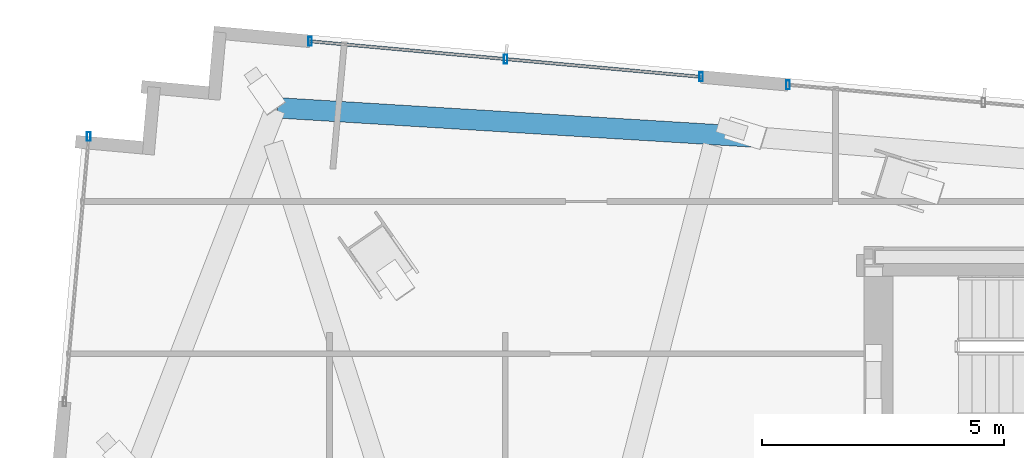
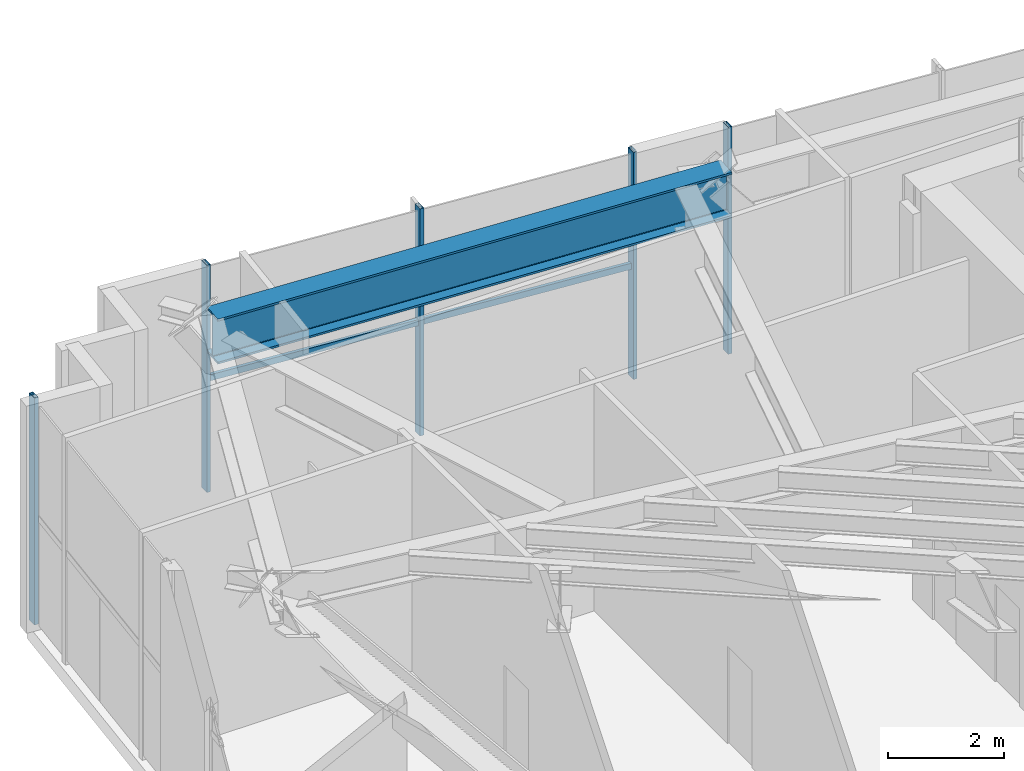
# One storey, part 6 of 20: 7 members, 1 beam, 3 elements without a shape of their own.
"""IFC4 building model written with IfcOpenShell, lengths in metres."""

import ifcopenshell
import ifcopenshell.guid

model = None  # the IFC model being written
_history = None  # IfcOwnerHistory: only IFC2X3 demands one
_inside = {}  # id of a spatial element -> (the spatial element, [elements in it])
_under = {}  # id of a project, library or spatial element -> (it, [spatial elements below it])
_declared = {}  # id of a project -> (the project, [libraries it declares])
_typed = {}  # id of a type object -> (the type object, [elements of that type])
_made_of = {}  # id of a material, layer set ... -> (it, [elements and type objects made of it])


def new_model(schema):
    """Start an empty IFC model of exactly this schema.

    Asked for "IFC4X3", IfcOpenShell would pick the latest addendum, in which some entities
    have other attributes; the version numbers below select the first issue.
    IFC2X3 requires an IfcOwnerHistory on every rooted entity: one is made here for all.
    """
    global model, _history
    if schema == "IFC4X3":
        model = ifcopenshell.file(schema_version=(4, 3, 0, 0))
    else:
        model = ifcopenshell.file(schema=schema)
    _inside.clear()
    _under.clear()
    _declared.clear()
    _typed.clear()
    _made_of.clear()
    _history = None
    if model.schema == "IFC2X3":
        org = make("IfcOrganization", Name="unknown")
        user = make(
            "IfcPersonAndOrganization",
            ThePerson=make("IfcPerson", FamilyName="unknown"),
            TheOrganization=org,
        )
        app = make(
            "IfcApplication",
            ApplicationDeveloper=org,
            Version="unknown",
            ApplicationFullName="unknown",
            ApplicationIdentifier="unknown",
        )
        _history = make(
            "IfcOwnerHistory",
            OwningUser=user,
            OwningApplication=app,
            ChangeAction="ADDED",
            CreationDate=0,
        )
    return model


def make(cls, **values):
    """One entity of the class cls with the attributes given. An attribute that is None is left unset."""
    return model.create_entity(
        cls, **{name: value for name, value in values.items() if value is not None}
    )


def rooted(cls, **values):
    """An entity with a GlobalId (a new one), such as an element, a storey or a relation."""
    return make(cls, GlobalId=ifcopenshell.guid.new(), OwnerHistory=_history, **values)


def si_unit(unit_type, name, prefix=None):
    """IfcSIUnit, for example si_unit("LENGTHUNIT", "METRE", prefix="MILLI")."""
    return make("IfcSIUnit", UnitType=unit_type, Prefix=prefix, Name=name)


def assignment(units):
    """IfcUnitAssignment: the units of a project."""
    return None if units is None else make("IfcUnitAssignment", Units=units)


def point(xyz):
    """IfcCartesianPoint."""
    return None if xyz is None else make("IfcCartesianPoint", Coordinates=xyz)


def direction(xyz):
    """IfcDirection."""
    return None if xyz is None else make("IfcDirection", DirectionRatios=xyz)


def frame(location, z_axis=None, x_axis=None):
    """IfcAxis2Placement3D, a coordinate frame: its origin and axes. An axis left out is left unset."""
    return make(
        "IfcAxis2Placement3D",
        Location=point(location),
        Axis=direction(z_axis),
        RefDirection=direction(x_axis),
    )


def frame_2d(location, x_axis=None):
    """IfcAxis2Placement2D, a coordinate frame in the plane: its origin and x axis."""
    return make(
        "IfcAxis2Placement2D", Location=point(location), RefDirection=direction(x_axis)
    )


def origin():
    """The frame at (0, 0, 0) with its axes left unset."""
    return frame((0.0, 0.0, 0.0))


def origin_2d():
    """The frame at (0, 0) in the plane with its x axis left unset."""
    return frame_2d((0.0, 0.0))


def place(relative_to, where):
    """IfcLocalPlacement: puts the frame where relative to a parent placement (None: the world)."""
    return make(
        "IfcLocalPlacement", PlacementRelTo=relative_to, RelativePlacement=where
    )


def context(
    kind, dimensions, precision=None, world=None, true_north=None, identifier=None
):
    """IfcGeometricRepresentationContext, for example the 3D "Model" context."""
    return make(
        "IfcGeometricRepresentationContext",
        ContextIdentifier=identifier,
        ContextType=kind,
        CoordinateSpaceDimension=dimensions,
        Precision=precision,
        WorldCoordinateSystem=world,
        TrueNorth=true_north,
    )


def subcontext(parent, identifier, kind, view, scale=None):
    """IfcGeometricRepresentationSubContext, for example "Body" below "Model"."""
    return make(
        "IfcGeometricRepresentationSubContext",
        ContextIdentifier=identifier,
        ContextType=kind,
        ParentContext=parent,
        TargetScale=scale,
        TargetView=view,
    )


def project(units=None, contexts=None):
    """IfcProject with its units and contexts."""
    return rooted(
        "IfcProject",
        Name="project",
        RepresentationContexts=contexts,
        UnitsInContext=assignment(units),
    )


def spatial(cls, under=None, at=None, **own):
    """A site, building, storey or space (cls), placed at a placement, below another one or the project."""
    s = rooted(cls, ObjectPlacement=at, **own)
    if under is not None:
        _under.setdefault(under.id(), (under, []))[1].append(s)
    return s


def profile(cls, at=None, kind="AREA", **sizes):
    """A parametric profile (cls). Its sizes go by their IFC names, for example OverallWidth=200.0."""
    return make(cls, ProfileType=kind, Position=at, **sizes)


def hollow_rectangle(**sizes):
    """IfcRectangleHollowProfileDef."""
    return profile("IfcRectangleHollowProfileDef", **sizes)


def i_section(**sizes):
    """IfcIShapeProfileDef."""
    return profile("IfcIShapeProfileDef", **sizes)


def extrude(swept, where, along, depth):
    """IfcExtrudedAreaSolid: the profile swept, set in the frame where, extruded along a direction by depth."""
    return make(
        "IfcExtrudedAreaSolid",
        SweptArea=swept,
        Position=where,
        ExtrudedDirection=direction(along),
        Depth=depth,
    )


def shape(context_of_items, identifier, shape_type, items):
    """IfcShapeRepresentation: the items that make up one representation, for example the "Body"."""
    return make(
        "IfcShapeRepresentation",
        ContextOfItems=context_of_items,
        RepresentationIdentifier=identifier,
        RepresentationType=shape_type,
        Items=items,
    )


def source(mapping_origin, context_of_items, identifier, shape_type, items):
    """IfcRepresentationMap: a shape defined once, which mapped items show again and again."""
    return make(
        "IfcRepresentationMap",
        MappingOrigin=mapping_origin,
        MappedRepresentation=shape(context_of_items, identifier, shape_type, items),
    )


def transform(
    local_origin,
    x_axis=None,
    y_axis=None,
    z_axis=None,
    scale=None,
    scale2=None,
    scale3=None,
    uniform=True,
):
    """IfcCartesianTransformationOperator3D, or its non-uniform kind. x_axis, y_axis, z_axis: its Axis1, 2, 3."""
    if uniform:
        return make(
            "IfcCartesianTransformationOperator3D",
            Axis1=direction(x_axis),
            Axis2=direction(y_axis),
            LocalOrigin=point(local_origin),
            Scale=scale,
            Axis3=direction(z_axis),
        )
    return make(
        "IfcCartesianTransformationOperator3DnonUniform",
        Axis1=direction(x_axis),
        Axis2=direction(y_axis),
        LocalOrigin=point(local_origin),
        Scale=scale,
        Axis3=direction(z_axis),
        Scale2=scale2,
        Scale3=scale3,
    )


def mapped(mapping_source, mapping_target):
    """IfcMappedItem: shows the shape of a source again, moved by a transform."""
    return make(
        "IfcMappedItem", MappingSource=mapping_source, MappingTarget=mapping_target
    )


def material(Name=None, Category=None):
    """IfcMaterial."""
    return make("IfcMaterial", Name=Name, Category=Category)


def material_profile(
    of_material, cross_section, Name=None, Category=None, Priority=None
):
    """IfcMaterialProfile: a cross section and its material."""
    return make(
        "IfcMaterialProfile",
        Name=Name,
        Material=of_material,
        Profile=cross_section,
        Priority=Priority,
        Category=Category,
    )


def profile_set(profiles, Name=None, composite=None):
    """IfcMaterialProfileSet."""
    return make(
        "IfcMaterialProfileSet",
        Name=Name,
        MaterialProfiles=profiles,
        CompositeProfile=composite,
    )


def made_of(thing, what):
    """Note that an element or type object is made of a material, layer set ...; save() writes the relation."""
    if what is not None:
        _made_of.setdefault(what.id(), (what, []))[1].append(thing)
    return thing


def type_object(cls, material=None, **own):
    """A type object (cls), such as IfcWallType, which elements share."""
    return made_of(rooted(cls, **own), material)


def type_shapes(of_type, sources):
    """Give a type object the sources (RepresentationMaps) that its elements show as mapped items."""
    of_type.RepresentationMaps = sources


def element(
    cls,
    number,
    at=None,
    inside=None,
    cuts=None,
    type_object=None,
    material=None,
    context=None,
    identifier="Body",
    shape_type=None,
    held_by="IfcProductDefinitionShape",
    body=None,
    shapes=None,
    **own,
):
    """One element of the class cls, such as IfcWall. Its Tag is "e" and its number.

    at: its placement. inside: the storey or other place that contains it. cuts: it is an
    opening in that element (IfcRelVoidsElement). A single representation is given by context,
    identifier, shape_type and body (its items); several are given by shapes. held_by: the class
    of the entity that holds the representations. save() writes the other relations.
    """
    e = rooted(cls, Tag="e%d" % number, ObjectPlacement=at, **own)
    if body is not None:
        shapes = [shape(context, identifier, shape_type, body)]
    if shapes is not None:
        e.Representation = make(held_by, Representations=shapes)
    if inside is not None:
        _inside.setdefault(inside.id(), (inside, []))[1].append(e)
    if cuts is not None:
        rooted(
            "IfcRelVoidsElement", RelatingBuildingElement=cuts, RelatedOpeningElement=e
        )
    if type_object is not None:
        _typed.setdefault(type_object.id(), (type_object, []))[1].append(e)
    return made_of(e, material)


def aggregate(whole, parts):
    """IfcRelAggregates: a whole, such as a stair, and the parts it consists of."""
    return rooted("IfcRelAggregates", RelatingObject=whole, RelatedObjects=parts)


def save(model, path):
    """Write the relations noted so far, then the file.

    IfcRelAggregates (storeys below a building ...), IfcRelContainedInSpatialStructure (elements
    in a storey), IfcRelDefinesByType, IfcRelAssociatesMaterial and IfcRelDeclares: one each for
    every whole, place, type object, material and project.
    """
    for whole, parts in _under.values():
        aggregate(whole, parts)
    for where, things in _inside.values():
        rooted(
            "IfcRelContainedInSpatialStructure",
            RelatedElements=things,
            RelatingStructure=where,
        )
    for kind, things in _typed.values():
        rooted("IfcRelDefinesByType", RelatedObjects=things, RelatingType=kind)
    for what, things in _made_of.values():
        rooted("IfcRelAssociatesMaterial", RelatedObjects=things, RelatingMaterial=what)
    for by, libraries in _declared.values():
        rooted("IfcRelDeclares", RelatingContext=by, RelatedDefinitions=libraries)
    model.write(path)


model = new_model("IFC4")

# Units and contexts
model_context = context("Model", 3, precision=1e-05, world=origin(), true_north=direction((0.0, 1.0)))
body_context = subcontext(model_context, "Body", "Model", "MODEL_VIEW")
ifc_project = project(units=[si_unit("LENGTHUNIT", "METRE"), si_unit("AREAUNIT", "SQUARE_METRE"), si_unit("VOLUMEUNIT", "CUBIC_METRE"), si_unit("PLANEANGLEUNIT", "RADIAN"), si_unit("MASSUNIT", "GRAM", prefix="KILO")], contexts=[model_context])

# Site, building, storey
site_placement = place(None, origin())
site = spatial("IfcSite", under=ifc_project, at=site_placement, CompositionType="ELEMENT")
building_placement = place(site_placement, origin())
building = spatial("IfcBuilding", under=site, at=building_placement, Name="Astriad Promenade Condominiums", CompositionType="ELEMENT")
storey_placement = place(building_placement, frame((0.0, 0.0, 211.39990234375)))
storey = spatial("IfcBuildingStorey", under=building, at=storey_placement, Name="L61", CompositionType="ELEMENT", Elevation=211.39990234375)

# Beam
ifc_material_1 = material(Name="Steel ASTM A992 Grade 50", Category="steel")
ifc_material_profile_1 = material_profile(ifc_material_1, i_section(OverallWidth=0.423095703125, OverallDepth=0.9482421875, WebThickness=0.02392578125, FlangeThickness=0.042724609375, FilletRadius=0.024169921875, at=origin_2d()), Name="W36X302")
ifc_profile_set_1 = profile_set([ifc_material_profile_1], Name="Steel ASTM A992 Grade 50")
beam_type = type_object("IfcBeamType", Name="STEEL PERIMETER RING GIRDER W36X302", PredefinedType="BEAM", material=ifc_profile_set_1)
shared_shape_1 = source(origin(), body_context, "Body", "SweptSolid", [
    extrude(i_section(OverallWidth=0.423095703125, OverallDepth=0.9482421875, WebThickness=0.02392578125, FlangeThickness=0.042724609375, FilletRadius=0.024169921875, at=origin_2d()), origin(), (0.0, 0.0, 1.0), 9.9013671875),
])
type_shapes(beam_type, [shared_shape_1])
beam_placement = place(storey_placement, frame((23.986572265625, 26.46826171875, 4.305908203125), z_axis=(-0.99812707198, 0.061174734822, 0.0), x_axis=(-0.061174734822, -0.99812707198, 0.0)))
element("IfcBeam", 1, at=beam_placement, inside=storey, type_object=beam_type, Name="Perimeter Spandrel Beam SP-N1-L61", PredefinedType="BEAM", context=body_context, shape_type="MappedRepresentation", body=[
    mapped(shared_shape_1, transform((0.0, 0.0, 0.0), scale=1.0)),
])

# Curtain wall, member
ifc_material_2 = material(Name="Anodised aluminium Black Dark Glass Unitised", Category="aluminium")
curtain_wall_type = type_object("IfcCurtainWallType", Name="CW-B5-DARK", PredefinedType="USERDEFINED", material=ifc_material_2)
curtain_wall_1_placement = place(storey_placement, origin())
curtain_wall_1 = element("IfcCurtainWall", 2, at=curtain_wall_1_placement, inside=storey, type_object=curtain_wall_type, Name="CW-L61-W-2", ObjectType="UNITISED_CURTAIN_WALL", PredefinedType="USERDEFINED")
ifc_material_3 = material(Name="Anodised aluminium 6063-T6 Black", Category="aluminium")
ifc_material_profile_2 = material_profile(ifc_material_3, hollow_rectangle(XDim=0.074951171875, YDim=0.18505859375, WallThickness=0.00439453125, at=origin_2d()), Name="ALU-MUL-75X185")
ifc_profile_set_2 = profile_set([ifc_material_profile_2], Name="Anodised aluminium 6063-T6 Black")
member_type_1 = type_object("IfcMemberType", Name="MUL-ALU-MUL-75X185", PredefinedType="MULLION", material=ifc_profile_set_2)
shared_shape_2 = source(origin(), body_context, "Body", "SweptSolid", [
    extrude(hollow_rectangle(XDim=0.074951171875, YDim=0.18505859375, WallThickness=0.00439453125, at=origin_2d()), origin(), (0.0, 0.0, 1.0), 4.780029296875),
])
type_shapes(member_type_1, [shared_shape_2])
member_1_placement = place(storey_placement, frame((10.205810546875, 26.482666015625, 0.0), z_axis=(0.0, 0.0, 1.0), x_axis=(1.0, 0.0, 0.0)))
member_1 = element("IfcMember", 3, at=member_1_placement, type_object=member_type_1, Name="CW-L61-W-2-MUL-01", PredefinedType="MULLION", context=body_context, shape_type="MappedRepresentation", body=[
    mapped(shared_shape_2, transform((0.0, 0.0, 0.0), scale=1.0)),
])
aggregate(curtain_wall_1, [member_1])

# Curtain wall, members
curtain_wall_2_placement = place(storey_placement, origin())
curtain_wall_2 = element("IfcCurtainWall", 4, at=curtain_wall_2_placement, inside=storey, type_object=curtain_wall_type, Name="CW-L61-N-1", ObjectType="UNITISED_CURTAIN_WALL", PredefinedType="USERDEFINED")
member_2_placement = place(storey_placement, frame((14.772705078125, 28.44677734375, 0.0), z_axis=(0.0, 0.0, 1.0), x_axis=(1.0, 0.0, 0.0)))
member_2 = element("IfcMember", 5, at=member_2_placement, type_object=member_type_1, Name="CW-L61-N-1-MUL-00", PredefinedType="MULLION", context=body_context, shape_type="MappedRepresentation", body=[
    mapped(shared_shape_2, transform((0.0, 0.0, 0.0), scale=1.0)),
])
member_3_placement = place(storey_placement, frame((18.805908203125, 28.079833984375, 0.0), z_axis=(0.0, 0.0, 1.0), x_axis=(1.0, 0.0, 0.0)))
member_3 = element("IfcMember", 6, at=member_3_placement, type_object=member_type_1, Name="CW-L61-N-1-MUL-01", PredefinedType="MULLION", context=body_context, shape_type="MappedRepresentation", body=[
    mapped(shared_shape_2, transform((0.0, 0.0, 0.0), scale=1.0)),
])
member_4_placement = place(storey_placement, frame((22.839111328125, 27.712646484375, 0.0), z_axis=(0.0, 0.0, 1.0), x_axis=(1.0, 0.0, 0.0)))
member_4 = element("IfcMember", 7, at=member_4_placement, type_object=member_type_1, Name="CW-L61-N-1-MUL-02", PredefinedType="MULLION", context=body_context, shape_type="MappedRepresentation", body=[
    mapped(shared_shape_2, transform((0.0, 0.0, 0.0), scale=1.0)),
])

# Curtain wall, member
curtain_wall_3_placement = place(storey_placement, origin())
curtain_wall_3 = element("IfcCurtainWall", 8, at=curtain_wall_3_placement, inside=storey, type_object=curtain_wall_type, Name="CW-L61-N-2", ObjectType="UNITISED_CURTAIN_WALL", PredefinedType="USERDEFINED")
member_5_placement = place(storey_placement, frame((24.6318359375, 27.549560546875, 0.0), z_axis=(0.0, 0.0, 1.0), x_axis=(1.0, 0.0, 0.0)))
member_5 = element("IfcMember", 9, at=member_5_placement, type_object=member_type_1, Name="CW-L61-N-2-MUL-00", PredefinedType="MULLION", context=body_context, shape_type="MappedRepresentation", body=[
    mapped(shared_shape_2, transform((0.0, 0.0, 0.0), scale=1.0)),
])
aggregate(curtain_wall_3, [member_5])

# Member
ifc_material_profile_3 = material_profile(ifc_material_3, hollow_rectangle(XDim=0.06494140625, YDim=0.1298828125, WallThickness=0.00390625, at=origin_2d()), Name="ALU-TRN-65X130")
ifc_profile_set_3 = profile_set([ifc_material_profile_3], Name="Anodised aluminium 6063-T6 Black")
member_type_2 = type_object("IfcMemberType", Name="TRN-ALU-TRN-65X130", PredefinedType="USERDEFINED", material=ifc_profile_set_3)
shared_shape_3 = source(origin(), body_context, "Body", "SweptSolid", [
    extrude(hollow_rectangle(XDim=0.06494140625, YDim=0.1298828125, WallThickness=0.00390625, at=origin_2d()), origin(), (0.0, 0.0, 1.0), 4.0498046875),
])
type_shapes(member_type_2, [shared_shape_3])
member_6_placement = place(storey_placement, frame((14.772705078125, 28.44677734375, 2.35009765625), z_axis=(0.995886780288, -0.090606406221, 0.0), x_axis=(0.090606406221, 0.995886780288, 0.0)))
member_6 = element("IfcMember", 10, at=member_6_placement, type_object=member_type_2, Name="CW-L61-N-1-TRN-00-0", ObjectType="TRANSOM", PredefinedType="USERDEFINED", context=body_context, shape_type="MappedRepresentation", body=[
    mapped(shared_shape_3, transform((0.0, 0.0, 0.0), scale=1.0)),
])

member_7_placement = place(storey_placement, frame((18.805908203125, 28.079833984375, 2.35009765625), z_axis=(0.9958813389, -0.090666194534, 0.0), x_axis=(0.090666194534, 0.9958813389, 0.0)))
member_7 = element("IfcMember", 11, at=member_7_placement, type_object=member_type_2, Name="CW-L61-N-1-TRN-01-0", ObjectType="TRANSOM", PredefinedType="USERDEFINED", context=body_context, shape_type="MappedRepresentation", body=[
    mapped(shared_shape_3, transform((0.0, 0.0, 0.0), scale=1.0)),
])

aggregate(curtain_wall_2, [member_2, member_3, member_4, member_6, member_7])

save(model, "model.ifc")
